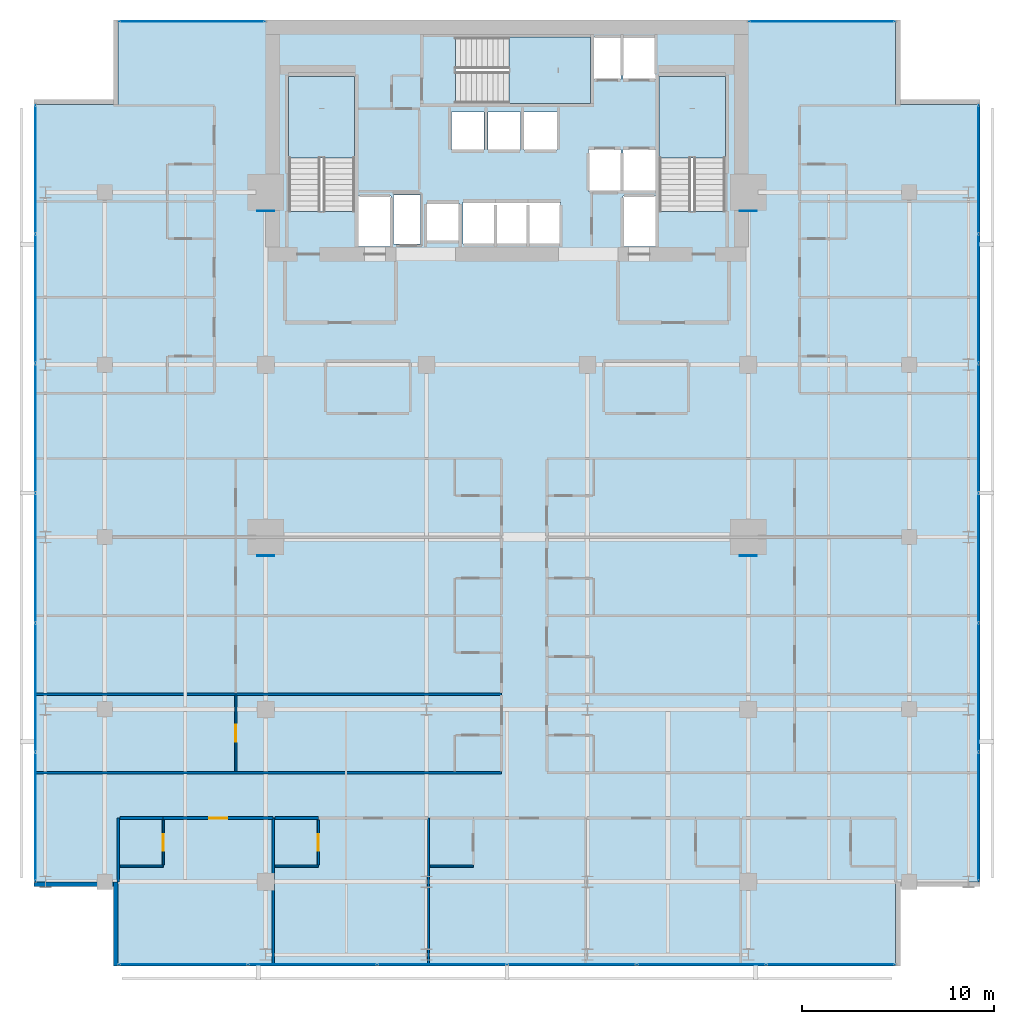
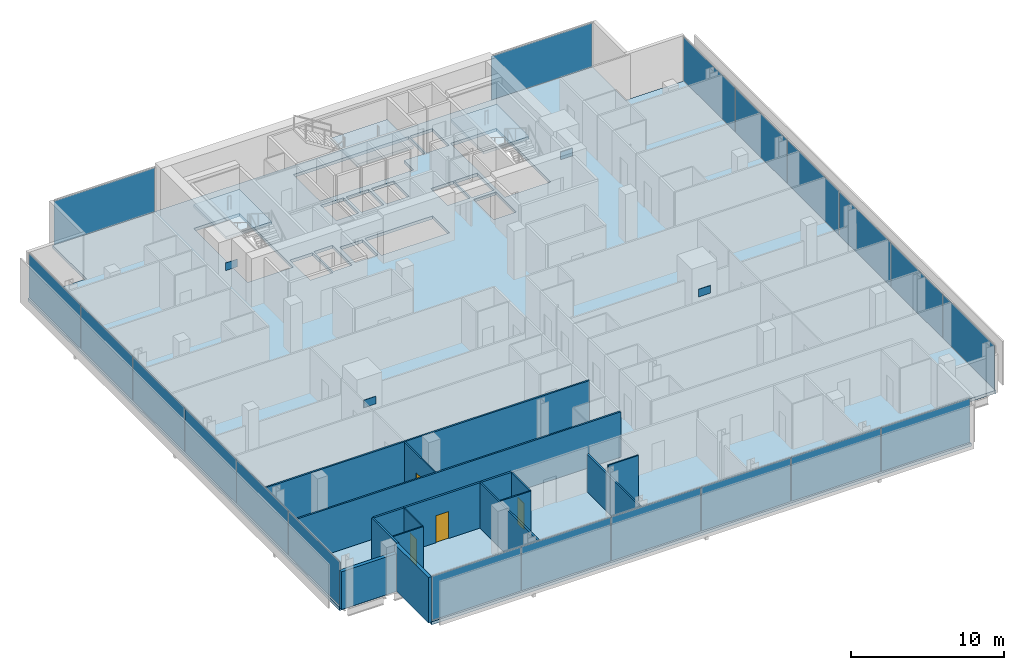
# One storey, part 26 of 34: 24 plates, 16 walls, 4 doors, 4 slabs, 4 openings, 8 elements without a shape of their own.
"""IFC4 building model written with IfcOpenShell, lengths in metres."""

from ifc_helpers import new_model, si_unit, direction, frame, frame_2d, origin, origin_2d, place, context, subcontext, project, spatial, polyline, rectangle, outline, extrude, material, layer, layer_set, type_object, element, fill, aggregate, save


model = new_model("IFC4")

# Units and contexts
model_context = context("Model", 3, precision=1e-05, world=origin(), true_north=direction((0.0, 1.0)))
body_context = subcontext(model_context, "Body", "Model", "MODEL_VIEW")
ifc_project = project(units=[si_unit("LENGTHUNIT", "METRE"), si_unit("AREAUNIT", "SQUARE_METRE"), si_unit("VOLUMEUNIT", "CUBIC_METRE"), si_unit("PLANEANGLEUNIT", "RADIAN"), si_unit("MASSUNIT", "GRAM", prefix="KILO")], contexts=[model_context])

# Site, building, storey
site_placement = place(None, origin())
site = spatial("IfcSite", under=ifc_project, at=site_placement, CompositionType="ELEMENT")
building_placement = place(site_placement, origin())
building = spatial("IfcBuilding", under=site, at=building_placement, Name="Maruvema Waterfront Hotel and Observation Tower", CompositionType="ELEMENT")
storey_placement = place(building_placement, frame((0.0, 0.0, 177.449951171875)))
storey = spatial("IfcBuildingStorey", under=building, at=storey_placement, Name="L43", CompositionType="ELEMENT", Elevation=177.449951171875)

# Slab
ifc_material_1 = material(Name="Concrete C50/60", Category="concrete")
ifc_layer_1 = layer(ifc_material_1, 0.239990234375, Name="Reinforced Concrete Floor Slab 240 mm")
ifc_layer_set_1 = layer_set([ifc_layer_1], Name="Concrete C50/60")
slab_type_1 = type_object("IfcSlabType", Name="Reinforced Concrete Floor Slab 240 mm", PredefinedType="FLOOR", material=ifc_layer_set_1)
slab_1_placement = place(storey_placement, frame((0.0, 0.0, -0.239990234375)))
element("IfcSlab", 1, at=slab_1_placement, inside=storey, type_object=slab_type_1, Name="L43 Structural Floor Slab", PredefinedType="FLOOR", context=body_context, shape_type="SweptSolid", body=[
    extrude(outline(polyline([(17.5, 4.60009765625), (58.10009765625, 4.60009765625), (58.10009765625, 9.0), (62.5, 9.0), (62.5, 49.60009765625), (58.10009765625, 49.60009765625), (58.10009765625, 54.0), (17.5, 54.0), (17.5, 49.60009765625), (13.10009765625, 49.60009765625), (13.10009765625, 9.0), (17.5, 9.0), (17.5, 4.60009765625)]), holes=[polyline([(26.39990234375, 44.00048828125), (26.39990234375, 51.050048828125), (29.85009765625, 51.050048828125), (29.85009765625, 44.00048828125), (26.39990234375, 44.00048828125)]), polyline([(30.050048828125, 44.800048828125), (31.75, 44.800048828125), (31.75, 42.169921875), (30.050048828125, 42.169921875), (30.050048828125, 44.800048828125)]), polyline([(31.8798828125, 44.860107421875), (33.280029296875, 44.860107421875), (33.280029296875, 42.2900390625), (31.8798828125, 42.2900390625), (31.8798828125, 44.860107421875)]), polyline([(33.60009765625, 44.449951171875), (35.300048828125, 44.449951171875), (35.300048828125, 42.449951171875), (33.60009765625, 42.449951171875), (33.60009765625, 44.449951171875)]), polyline([(34.89990234375, 49.199951171875), (36.60009765625, 49.199951171875), (36.60009765625, 47.199951171875), (34.89990234375, 47.199951171875), (34.89990234375, 49.199951171875)]), polyline([(36.800048828125, 49.199951171875), (38.5, 49.199951171875), (38.5, 47.199951171875), (36.800048828125, 47.199951171875), (36.800048828125, 49.199951171875)]), polyline([(35.5, 42.300048828125), (35.5, 44.5), (40.60009765625, 44.5), (40.60009765625, 42.300048828125), (35.5, 42.300048828125)]), polyline([(35.1005859375, 53.10009765625), (43.75, 53.10009765625), (43.75, 50.89990234375), (42.14990234375, 50.89990234375), (42.14990234375, 49.64990234375), (35.1005859375, 49.64990234375), (35.1005859375, 53.10009765625)]), polyline([(38.699951171875, 49.199951171875), (40.39990234375, 49.199951171875), (40.39990234375, 47.199951171875), (38.699951171875, 47.199951171875), (38.699951171875, 49.199951171875)]), polyline([(42.050048828125, 47.25), (43.75, 47.25), (43.75, 45.050048828125), (42.050048828125, 45.050048828125), (42.050048828125, 47.25)]), polyline([(43.85009765625, 44.800048828125), (45.550048828125, 44.800048828125), (45.550048828125, 42.169921875), (43.85009765625, 42.169921875), (43.85009765625, 44.800048828125)]), polyline([(43.85009765625, 47.25), (45.550048828125, 47.25), (45.550048828125, 45.050048828125), (43.85009765625, 45.050048828125), (43.85009765625, 47.25)]), polyline([(45.550048828125, 53.10009765625), (45.550048828125, 50.89990234375), (43.85009765625, 50.89990234375), (43.85009765625, 53.10009765625), (45.550048828125, 53.10009765625)]), polyline([(45.75, 44.00048828125), (45.75, 51.050048828125), (49.199951171875, 51.050048828125), (49.199951171875, 44.00048828125), (45.75, 44.00048828125)])]), origin(), (0.0, 0.0, 1.0), 0.239990234375),
])

# Curtain wall, plates
ifc_material_2 = material(Name="Anodised bronze aluminium and solar-control low-E IGU", Category="aluminium")
ifc_layer_2 = layer(ifc_material_2, 0.159912109375, Name="Zone 2 Amber Inner Thermal Curtain Wall System CW-03")
ifc_layer_set_2 = layer_set([ifc_layer_2], Name="Anodised bronze aluminium and solar-control low-E IGU")
curtain_wall_type = type_object("IfcCurtainWallType", Name="Zone 2 Amber Inner Thermal Curtain Wall System CW-03", PredefinedType="USERDEFINED", material=ifc_layer_set_2)
curtain_wall_1_placement = place(storey_placement, origin())
curtain_wall_1 = element("IfcCurtainWall", 2, at=curtain_wall_1_placement, inside=storey, type_object=curtain_wall_type, Name="L43 Curtain Wall CW-L43-S", ObjectType="UNITISED CURTAIN WALL", PredefinedType="USERDEFINED")
ifc_material_3 = material(Name="Laminated low-E solar-control double glazing", Category="glass")
ifc_layer_3 = layer(ifc_material_3, 0.035888671875, Name="Solar Control Double-Glazed Curtain Panel 36 mm")
ifc_layer_set_3 = layer_set([ifc_layer_3], Name="Laminated low-E solar-control double glazing")
plate_type_1 = type_object("IfcPlateType", Name="Solar Control Double-Glazed Curtain Panel 36 mm", PredefinedType="CURTAIN_PANEL", material=ifc_layer_set_3)
plate_1_placement = place(storey_placement, frame((20.8984375, 4.679931640625, 0.06005859375), z_axis=(0.0, 0.0, 1.0), x_axis=(1.0, 0.0, 0.0)))
plate_1 = element("IfcPlate", 3, at=plate_1_placement, type_object=plate_type_1, Name="CW-03 panel 1.1", PredefinedType="CURTAIN_PANEL", context=body_context, shape_type="SweptSolid", body=[
    extrude(rectangle(XDim=6.6767578125, YDim=0.028076171875, at=origin_2d()), origin(), (0.0, 0.0, 1.0), 3.489990234375),
])
plate_2_placement = place(storey_placement, frame((27.64990234375, 4.679931640625, 0.06005859375), z_axis=(0.0, 0.0, 1.0), x_axis=(1.0, 0.0, 0.0)))
plate_2 = element("IfcPlate", 4, at=plate_2_placement, type_object=plate_type_1, Name="CW-03 panel 2.1", PredefinedType="CURTAIN_PANEL", context=body_context, shape_type="SweptSolid", body=[
    extrude(rectangle(XDim=6.706787109375, YDim=0.028076171875, at=origin_2d()), origin(), (0.0, 0.0, 1.0), 3.489990234375),
])
plate_3_placement = place(storey_placement, frame((34.416748046875, 4.679931640625, 0.06005859375), z_axis=(0.0, 0.0, 1.0), x_axis=(1.0, 0.0, 0.0)))
plate_3 = element("IfcPlate", 5, at=plate_3_placement, type_object=plate_type_1, Name="CW-03 panel 3.1", PredefinedType="CURTAIN_PANEL", context=body_context, shape_type="SweptSolid", body=[
    extrude(rectangle(XDim=6.706787109375, YDim=0.028076171875, at=origin_2d()), origin(), (0.0, 0.0, 1.0), 3.489990234375),
])
plate_4_placement = place(storey_placement, frame((41.183349609375, 4.679931640625, 0.06005859375), z_axis=(0.0, 0.0, 1.0), x_axis=(1.0, 0.0, 0.0)))
plate_4 = element("IfcPlate", 6, at=plate_4_placement, type_object=plate_type_1, Name="CW-03 panel 4.1", PredefinedType="CURTAIN_PANEL", context=body_context, shape_type="SweptSolid", body=[
    extrude(rectangle(XDim=6.706787109375, YDim=0.028076171875, at=origin_2d()), origin(), (0.0, 0.0, 1.0), 3.489990234375),
])
plate_5_placement = place(storey_placement, frame((47.949951171875, 4.679931640625, 0.06005859375), z_axis=(0.0, 0.0, 1.0), x_axis=(1.0, 0.0, 0.0)))
plate_5 = element("IfcPlate", 7, at=plate_5_placement, type_object=plate_type_1, Name="CW-03 panel 5.1", PredefinedType="CURTAIN_PANEL", context=body_context, shape_type="SweptSolid", body=[
    extrude(rectangle(XDim=6.706787109375, YDim=0.028076171875, at=origin_2d()), origin(), (0.0, 0.0, 1.0), 3.489990234375),
])
plate_6_placement = place(storey_placement, frame((54.70166015625, 4.679931640625, 0.06005859375), z_axis=(0.0, 0.0, 1.0), x_axis=(1.0, 0.0, 0.0)))
plate_6 = element("IfcPlate", 8, at=plate_6_placement, type_object=plate_type_1, Name="CW-03 panel 6.1", PredefinedType="CURTAIN_PANEL", context=body_context, shape_type="SweptSolid", body=[
    extrude(rectangle(XDim=6.6767578125, YDim=0.028076171875, at=origin_2d()), origin(), (0.0, 0.0, 1.0), 3.489990234375),
])
aggregate(curtain_wall_1, [plate_1, plate_2, plate_3, plate_4, plate_5, plate_6])

curtain_wall_2_placement = place(storey_placement, origin())
curtain_wall_2 = element("IfcCurtainWall", 9, at=curtain_wall_2_placement, inside=storey, type_object=curtain_wall_type, Name="L43 Curtain Wall CW-L43-E", ObjectType="UNITISED CURTAIN WALL", PredefinedType="USERDEFINED")
plate_7_placement = place(storey_placement, frame((62.419921875, 12.3984375, 0.06005859375), z_axis=(0.0, 0.0, 1.0), x_axis=(0.0, 1.0, 0.0)))
plate_7 = element("IfcPlate", 10, at=plate_7_placement, type_object=plate_type_1, Name="CW-03 panel 1.1", PredefinedType="CURTAIN_PANEL", context=body_context, shape_type="SweptSolid", body=[
    extrude(rectangle(XDim=6.6767578125, YDim=0.028076171875, at=origin_2d()), origin(), (0.0, 0.0, 1.0), 3.489990234375),
])
plate_8_placement = place(storey_placement, frame((62.419921875, 19.14990234375, 0.06005859375), z_axis=(0.0, 0.0, 1.0), x_axis=(0.0, 1.0, 0.0)))
plate_8 = element("IfcPlate", 11, at=plate_8_placement, type_object=plate_type_1, Name="CW-03 panel 2.1", PredefinedType="CURTAIN_PANEL", context=body_context, shape_type="SweptSolid", body=[
    extrude(rectangle(XDim=6.706787109375, YDim=0.028076171875, at=origin_2d()), origin(), (0.0, 0.0, 1.0), 3.489990234375),
])
plate_9_placement = place(storey_placement, frame((62.419921875, 25.916748046875, 0.06005859375), z_axis=(0.0, 0.0, 1.0), x_axis=(0.0, 1.0, 0.0)))
plate_9 = element("IfcPlate", 12, at=plate_9_placement, type_object=plate_type_1, Name="CW-03 panel 3.1", PredefinedType="CURTAIN_PANEL", context=body_context, shape_type="SweptSolid", body=[
    extrude(rectangle(XDim=6.706787109375, YDim=0.028076171875, at=origin_2d()), origin(), (0.0, 0.0, 1.0), 3.489990234375),
])
plate_10_placement = place(storey_placement, frame((62.419921875, 32.683349609375, 0.06005859375), z_axis=(0.0, 0.0, 1.0), x_axis=(0.0, 1.0, 0.0)))
plate_10 = element("IfcPlate", 13, at=plate_10_placement, type_object=plate_type_1, Name="CW-03 panel 4.1", PredefinedType="CURTAIN_PANEL", context=body_context, shape_type="SweptSolid", body=[
    extrude(rectangle(XDim=6.706787109375, YDim=0.028076171875, at=origin_2d()), origin(), (0.0, 0.0, 1.0), 3.489990234375),
])
plate_11_placement = place(storey_placement, frame((62.419921875, 39.449951171875, 0.06005859375), z_axis=(0.0, 0.0, 1.0), x_axis=(0.0, 1.0, 0.0)))
plate_11 = element("IfcPlate", 14, at=plate_11_placement, type_object=plate_type_1, Name="CW-03 panel 5.1", PredefinedType="CURTAIN_PANEL", context=body_context, shape_type="SweptSolid", body=[
    extrude(rectangle(XDim=6.706787109375, YDim=0.028076171875, at=origin_2d()), origin(), (0.0, 0.0, 1.0), 3.489990234375),
])
plate_12_placement = place(storey_placement, frame((62.419921875, 46.20166015625, 0.06005859375), z_axis=(0.0, 0.0, 1.0), x_axis=(0.0, 1.0, 0.0)))
plate_12 = element("IfcPlate", 15, at=plate_12_placement, type_object=plate_type_1, Name="CW-03 panel 6.1", PredefinedType="CURTAIN_PANEL", context=body_context, shape_type="SweptSolid", body=[
    extrude(rectangle(XDim=6.6767578125, YDim=0.028076171875, at=origin_2d()), origin(), (0.0, 0.0, 1.0), 3.489990234375),
])
aggregate(curtain_wall_2, [plate_7, plate_8, plate_9, plate_10, plate_11, plate_12])

curtain_wall_3_placement = place(storey_placement, origin())
curtain_wall_3 = element("IfcCurtainWall", 16, at=curtain_wall_3_placement, inside=storey, type_object=curtain_wall_type, Name="L43 Curtain Wall CW-L43-W", ObjectType="UNITISED CURTAIN WALL", PredefinedType="USERDEFINED")
plate_13_placement = place(storey_placement, frame((13.179931640625, 46.20166015625, 0.06005859375), z_axis=(0.0, 0.0, 1.0), x_axis=(0.0, -1.0, 0.0)))
plate_13 = element("IfcPlate", 17, at=plate_13_placement, type_object=plate_type_1, Name="CW-03 panel 1.1", PredefinedType="CURTAIN_PANEL", context=body_context, shape_type="SweptSolid", body=[
    extrude(rectangle(XDim=6.6767578125, YDim=0.028076171875, at=origin_2d()), origin(), (0.0, 0.0, 1.0), 3.489990234375),
])
plate_14_placement = place(storey_placement, frame((13.179931640625, 39.449951171875, 0.06005859375), z_axis=(0.0, 0.0, 1.0), x_axis=(0.0, -1.0, 0.0)))
plate_14 = element("IfcPlate", 18, at=plate_14_placement, type_object=plate_type_1, Name="CW-03 panel 2.1", PredefinedType="CURTAIN_PANEL", context=body_context, shape_type="SweptSolid", body=[
    extrude(rectangle(XDim=6.706787109375, YDim=0.028076171875, at=origin_2d()), origin(), (0.0, 0.0, 1.0), 3.489990234375),
])
plate_15_placement = place(storey_placement, frame((13.179931640625, 32.683349609375, 0.06005859375), z_axis=(0.0, 0.0, 1.0), x_axis=(0.0, -1.0, 0.0)))
plate_15 = element("IfcPlate", 19, at=plate_15_placement, type_object=plate_type_1, Name="CW-03 panel 3.1", PredefinedType="CURTAIN_PANEL", context=body_context, shape_type="SweptSolid", body=[
    extrude(rectangle(XDim=6.706787109375, YDim=0.028076171875, at=origin_2d()), origin(), (0.0, 0.0, 1.0), 3.489990234375),
])
plate_16_placement = place(storey_placement, frame((13.179931640625, 25.916748046875, 0.06005859375), z_axis=(0.0, 0.0, 1.0), x_axis=(0.0, -1.0, 0.0)))
plate_16 = element("IfcPlate", 20, at=plate_16_placement, type_object=plate_type_1, Name="CW-03 panel 4.1", PredefinedType="CURTAIN_PANEL", context=body_context, shape_type="SweptSolid", body=[
    extrude(rectangle(XDim=6.706787109375, YDim=0.028076171875, at=origin_2d()), origin(), (0.0, 0.0, 1.0), 3.489990234375),
])
plate_17_placement = place(storey_placement, frame((13.179931640625, 19.14990234375, 0.06005859375), z_axis=(0.0, 0.0, 1.0), x_axis=(0.0, -1.0, 0.0)))
plate_17 = element("IfcPlate", 21, at=plate_17_placement, type_object=plate_type_1, Name="CW-03 panel 5.1", PredefinedType="CURTAIN_PANEL", context=body_context, shape_type="SweptSolid", body=[
    extrude(rectangle(XDim=6.706787109375, YDim=0.028076171875, at=origin_2d()), origin(), (0.0, 0.0, 1.0), 3.489990234375),
])
plate_18_placement = place(storey_placement, frame((13.179931640625, 12.3984375, 0.06005859375), z_axis=(0.0, 0.0, 1.0), x_axis=(0.0, -1.0, 0.0)))
plate_18 = element("IfcPlate", 22, at=plate_18_placement, type_object=plate_type_1, Name="CW-03 panel 6.1", PredefinedType="CURTAIN_PANEL", context=body_context, shape_type="SweptSolid", body=[
    extrude(rectangle(XDim=6.6767578125, YDim=0.028076171875, at=origin_2d()), origin(), (0.0, 0.0, 1.0), 3.489990234375),
])
aggregate(curtain_wall_3, [plate_13, plate_14, plate_15, plate_16, plate_17, plate_18])

# Curtain wall, plate
curtain_wall_4_placement = place(storey_placement, origin())
curtain_wall_4 = element("IfcCurtainWall", 23, at=curtain_wall_4_placement, inside=storey, type_object=curtain_wall_type, Name="L43 Curtain Wall CW-L43-NW", ObjectType="UNITISED CURTAIN WALL", PredefinedType="USERDEFINED")
plate_19_placement = place(storey_placement, frame((21.35009765625, 53.919921875, 0.06005859375), z_axis=(0.0, 0.0, 1.0), x_axis=(-1.0, 0.0, 0.0)))
plate_19 = element("IfcPlate", 24, at=plate_19_placement, type_object=plate_type_1, Name="CW-03 panel 1.1", PredefinedType="CURTAIN_PANEL", context=body_context, shape_type="SweptSolid", body=[
    extrude(rectangle(XDim=7.580078125, YDim=0.028076171875, at=origin_2d()), origin(), (0.0, 0.0, 1.0), 3.489990234375),
])
aggregate(curtain_wall_4, [plate_19])

curtain_wall_5_placement = place(storey_placement, origin())
curtain_wall_5 = element("IfcCurtainWall", 25, at=curtain_wall_5_placement, inside=storey, type_object=curtain_wall_type, Name="L43 Curtain Wall CW-L43-NE", ObjectType="UNITISED CURTAIN WALL", PredefinedType="USERDEFINED")
plate_20_placement = place(storey_placement, frame((54.25, 53.919921875, 0.06005859375), z_axis=(0.0, 0.0, 1.0), x_axis=(-1.0, 0.0, 0.0)))
plate_20 = element("IfcPlate", 26, at=plate_20_placement, type_object=plate_type_1, Name="CW-03 panel 1.1", PredefinedType="CURTAIN_PANEL", context=body_context, shape_type="SweptSolid", body=[
    extrude(rectangle(XDim=7.580078125, YDim=0.028076171875, at=origin_2d()), origin(), (0.0, 0.0, 1.0), 3.489990234375),
])
aggregate(curtain_wall_5, [plate_20])

# Stair, slab
ifc_material_4 = material(Name="Concrete C50/60", Category="concrete")
stair_type = type_object("IfcStairType", Name="Dogleg Exit Stair 1650 mm (22R x 175.0 mm)", PredefinedType="HALF_TURN_STAIR", material=ifc_material_4)
stair_1_placement = place(storey_placement, origin())
stair_1 = element("IfcStair", 27, at=stair_1_placement, inside=storey, type_object=stair_type, Name="L43 ST-01", PredefinedType="HALF_TURN_STAIR")
ifc_material_5 = material(Name="Concrete C50/60", Category="concrete")
ifc_layer_4 = layer(ifc_material_5, 0.219970703125, Name="Stair Concrete Landing Slab 220 mm")
ifc_layer_set_4 = layer_set([ifc_layer_4], Name="Concrete C50/60")
slab_type_2 = type_object("IfcSlabType", Name="Stair Concrete Landing Slab 220 mm", PredefinedType="LANDING", material=ifc_layer_set_4)
slab_2_placement = place(storey_placement, frame((0.0, 0.0, 1.705078125)))
slab_2 = element("IfcSlab", 28, at=slab_2_placement, type_object=slab_type_2, Name="ST-01 landing 1", PredefinedType="LANDING", context=body_context, shape_type="SweptSolid", body=[
    extrude(outline(polyline([(29.85009765625, 46.800048828125), (29.85009765625, 51.050048828125), (26.39990234375, 51.050048828125), (26.39990234375, 46.800048828125), (29.85009765625, 46.800048828125)])), origin(), (0.0, 0.0, 1.0), 0.219970703125),
])
aggregate(stair_1, [slab_2])

stair_2_placement = place(storey_placement, origin())
stair_2 = element("IfcStair", 29, at=stair_2_placement, inside=storey, type_object=stair_type, Name="L43 ST-02", PredefinedType="HALF_TURN_STAIR")
slab_3_placement = place(storey_placement, frame((0.0, 0.0, 1.705078125)))
slab_3 = element("IfcSlab", 30, at=slab_3_placement, type_object=slab_type_2, Name="ST-02 landing 1", PredefinedType="LANDING", context=body_context, shape_type="SweptSolid", body=[
    extrude(outline(polyline([(37.89990234375, 49.64990234375), (42.14990234375, 49.64990234375), (42.14990234375, 53.10009765625), (37.89990234375, 53.10009765625), (37.89990234375, 49.64990234375)])), origin(), (0.0, 0.0, 1.0), 0.219970703125),
])
aggregate(stair_2, [slab_3])

stair_3_placement = place(storey_placement, origin())
stair_3 = element("IfcStair", 31, at=stair_3_placement, inside=storey, type_object=stair_type, Name="L43 ST-03", PredefinedType="HALF_TURN_STAIR")
slab_4_placement = place(storey_placement, frame((0.0, 0.0, 1.705078125)))
slab_4 = element("IfcSlab", 32, at=slab_4_placement, type_object=slab_type_2, Name="ST-03 landing 1", PredefinedType="LANDING", context=body_context, shape_type="SweptSolid", body=[
    extrude(outline(polyline([(49.199951171875, 46.800048828125), (49.199951171875, 51.050048828125), (45.75, 51.050048828125), (45.75, 46.800048828125), (49.199951171875, 46.800048828125)])), origin(), (0.0, 0.0, 1.0), 0.219970703125),
])
aggregate(stair_3, [slab_4])

# Plates
ifc_material_6 = material(Name="Steel ABNT NBR 7007 AR 415 (ASTM A572 Grade 50)", Category="steel")
ifc_layer_5 = layer(ifc_material_6, 0.0400390625, Name="Structural Truss Node Gusset Plate 40 mm")
ifc_layer_set_5 = layer_set([ifc_layer_5], Name="Steel ABNT NBR 7007 AR 415 (ASTM A572 Grade 50)")
plate_type_2 = type_object("IfcPlateType", Name="Structural Truss Node Gusset Plate 40 mm", PredefinedType="USERDEFINED", material=ifc_layer_set_5)
for number, where, z_axis, x_axis, name in (
    (33, (25.199951171875, 26.030029296875, 1.5), (0.0, 0.0, 1.0), (1.0, 0.0, 0.0), "L43 MC-01 Moment Frame Continuity Gusset Plate"),
    (34, (50.39990234375, 26.030029296875, 1.5), (0.0, 0.0, 1.0), (1.0, 0.0, 0.0), "L43 MC-02 Moment Frame Continuity Gusset Plate"),
    (35, (25.199951171875, 44.030029296875, 1.5), (0.0, 0.0, 1.0), (1.0, 0.0, 0.0), "L43 MC-03 Moment Frame Continuity Gusset Plate"),
    (36, (50.39990234375, 44.030029296875, 1.5), (0.0, 0.0, 1.0), (1.0, 0.0, 0.0), "L43 MC-04 Moment Frame Continuity Gusset Plate"),
):
    element("IfcPlate", number, at=place(storey_placement, frame(where, z_axis=z_axis, x_axis=x_axis)), inside=storey, type_object=plate_type_2, Name=name, ObjectType="GUSSET_PLATE", PredefinedType="USERDEFINED", context=body_context, shape_type="SweptSolid", body=[
        extrude(rectangle(XDim=0.89990234375, YDim=0.0400390625, at=origin_2d()), origin(), (0.0, 0.0, 1.0), 0.60009765625),
    ])

# Wall
ifc_material_7 = material(Name="Twin-stud acoustic gypsum drywall", Category="gypsum")
ifc_layer_6 = layer(ifc_material_7, 0.14990234375, Name="Acoustic Corridor and Suite Demising Wall 150 mm")
ifc_layer_set_6 = layer_set([ifc_layer_6], Name="Twin-stud acoustic gypsum drywall")
wall_type_1 = type_object("IfcWallType", Name="Acoustic Corridor and Suite Demising Wall 150 mm", PredefinedType="PARTITIONING", material=ifc_layer_set_6)
wall_1_placement = place(storey_placement, frame((17.580078125, 12.320068359375, 0.0), z_axis=(0.0, 0.0, 1.0), x_axis=(1.0, 0.0, 0.0)))
element("IfcWall", 37, at=wall_1_placement, inside=storey, type_object=wall_type_1, Name="L43 Bath L43-S1 Back Wall 027", PredefinedType="PARTITIONING", context=body_context, shape_type="SweptSolid", body=[
    extrude(rectangle(XDim=2.27001953125, YDim=0.14990234375, at=frame_2d((1.135009765625, 0.0))), origin(), (0.0, 0.0, 1.0), 3.610107421875),
])

# Wall, opening, door
wall_2_placement = place(storey_placement, frame((19.85009765625, 12.320068359375, 0.0), z_axis=(0.0, 0.0, 1.0), x_axis=(1.0, 0.0, 0.0)))
wall_2 = element("IfcWall", 38, at=wall_2_placement, inside=storey, type_object=wall_type_1, Name="L43 Unit L43-S1 Corridor Wall 030", PredefinedType="PARTITIONING", context=body_context, shape_type="SweptSolid", body=[
    extrude(rectangle(XDim=5.72998046875, YDim=0.14990234375, at=frame_2d((2.864990234375, 0.0))), origin(), (0.0, 0.0, 1.0), 3.610107421875),
])
opening_1_placement = place(wall_2_placement, frame((2.389892578125, 0.0, 0.0)))
opening_1 = element("IfcOpeningElement", 39, at=opening_1_placement, cuts=wall_2, Name="Opening DR-095", PredefinedType="OPENING", context=body_context, shape_type="SweptSolid", body=[
    extrude(rectangle(XDim=0.949951171875, YDim=2.14990234375, at=frame_2d((0.47509765625, 1.074951171875))), frame((0.0, 0.0849609375, 0.0), z_axis=(0.0, -1.0, 0.0), x_axis=(1.0, 0.0, 0.0)), (0.0, 0.0, 1.0), 0.169921875),
])
ifc_material_8 = material(Name="Acoustic solid-core hardwood timber leaf", Category="wood")
door_type_1 = type_object("IfcDoorType", Name="Guestroom Entrance Fire Door 950x2150 mm", OperationType="NOTDEFINED", PredefinedType="DOOR", material=ifc_material_8)
door_1_placement = place(opening_1_placement, frame((0.949951171875, 0.0, 0.0), z_axis=(0.0, 0.0, 1.0), x_axis=(-1.0, 0.0, 0.0)))
door_1 = element("IfcDoor", 40, at=door_1_placement, inside=storey, type_object=door_type_1, Name="L43 Unit L43-S1 Entrance Door", OperationType="SINGLE_SWING_LEFT", OverallHeight=2.14990234375, OverallWidth=0.949951171875, PredefinedType="DOOR", context=body_context, shape_type="SweptSolid", body=[
    extrude(rectangle(XDim=0.949951171875, YDim=2.14990234375, at=frame_2d((0.47509765625, 1.074951171875))), frame((0.0, 0.02490234375, 0.0), z_axis=(0.0, -1.0, 0.0), x_axis=(1.0, 0.0, 0.0)), (0.0, 0.0, 1.0), 0.050048828125),
])
fill(opening_1, door_1)

# Walls
wall_3_placement = place(storey_placement, frame((25.679931640625, 12.320068359375, 0.0), z_axis=(0.0, 0.0, 1.0), x_axis=(1.0, 0.0, 0.0)))
element("IfcWall", 41, at=wall_3_placement, inside=storey, type_object=wall_type_1, Name="L43 Bath L43-S2 Back Wall 032", PredefinedType="PARTITIONING", context=body_context, shape_type="SweptSolid", body=[
    extrude(rectangle(XDim=2.27001953125, YDim=0.14990234375, at=frame_2d((1.135009765625, 0.0))), origin(), (0.0, 0.0, 1.0), 3.610107421875),
])
ifc_material_9 = material(Name="Moisture-resistant cement-board drywall", Category="gypsum")
ifc_layer_7 = layer(ifc_material_9, 0.10009765625, Name="En-Suite Moisture-Resistant Partition 100 mm")
ifc_layer_set_7 = layer_set([ifc_layer_7], Name="Moisture-resistant cement-board drywall")
wall_type_2 = type_object("IfcWallType", Name="En-Suite Moisture-Resistant Partition 100 mm", PredefinedType="PARTITIONING", material=ifc_layer_set_7)
wall_4_placement = place(storey_placement, frame((17.580078125, 9.820068359375, 0.0), z_axis=(0.0, 0.0, 1.0), x_axis=(1.0, 0.0, 0.0)))
element("IfcWall", 42, at=wall_4_placement, inside=storey, type_object=wall_type_2, Name="L43 En-Suite L43-S1 South 028", PredefinedType="PARTITIONING", context=body_context, shape_type="SweptSolid", body=[
    extrude(rectangle(XDim=2.27001953125, YDim=0.10009765625, at=frame_2d((1.135009765625, 0.0))), origin(), (0.0, 0.0, 1.0), 3.610107421875),
])

# Wall, opening, door
wall_5_placement = place(storey_placement, frame((19.85009765625, 9.8798828125, 0.0), z_axis=(0.0, 0.0, 1.0), x_axis=(0.0, 1.0, 0.0)))
wall_5 = element("IfcWall", 43, at=wall_5_placement, inside=storey, type_object=wall_type_2, Name="L43 En-Suite L43-S1 East 029", PredefinedType="PARTITIONING", context=body_context, shape_type="SweptSolid", body=[
    extrude(rectangle(XDim=2.340087890625, YDim=0.10009765625, at=frame_2d((1.169921875, 0.0))), origin(), (0.0, 0.0, 1.0), 3.610107421875),
])
opening_2_placement = place(wall_5_placement, frame((0.7451171875, 0.0, 0.0)))
opening_2 = element("IfcOpeningElement", 44, at=opening_2_placement, cuts=wall_5, Name="Opening DR-085", PredefinedType="OPENING", context=body_context, shape_type="SweptSolid", body=[
    extrude(rectangle(XDim=0.85009765625, YDim=2.10009765625, at=frame_2d((0.425048828125, 1.050048828125))), frame((0.0, 0.06005859375, 0.0), z_axis=(0.0, -1.0, 0.0), x_axis=(1.0, 0.0, 0.0)), (0.0, 0.0, 1.0), 0.1201171875),
])
ifc_material_10 = material(Name="Moisture-resistant solid timber leaf", Category="wood")
door_type_2 = type_object("IfcDoorType", Name="En-Suite Bathroom Door 850x2100 mm", OperationType="NOTDEFINED", PredefinedType="DOOR", material=ifc_material_10)
door_2_placement = place(opening_2_placement, frame((0.85009765625, 0.0, 0.0), z_axis=(0.0, 0.0, 1.0), x_axis=(-1.0, 0.0, 0.0)))
door_2 = element("IfcDoor", 45, at=door_2_placement, inside=storey, type_object=door_type_2, Name="L43 En-Suite L43-S1 Door", OperationType="SINGLE_SWING_RIGHT", OverallHeight=2.10009765625, OverallWidth=0.85009765625, PredefinedType="DOOR", context=body_context, shape_type="SweptSolid", body=[
    extrude(rectangle(XDim=0.85009765625, YDim=2.10009765625, at=frame_2d((0.425048828125, 1.050048828125))), frame((0.0, 0.02490234375, 0.0), z_axis=(0.0, -1.0, 0.0), x_axis=(1.0, 0.0, 0.0)), (0.0, 0.0, 1.0), 0.050048828125),
])
fill(opening_2, door_2)

# Wall
wall_6_placement = place(storey_placement, frame((25.679931640625, 9.820068359375, 0.0), z_axis=(0.0, 0.0, 1.0), x_axis=(1.0, 0.0, 0.0)))
element("IfcWall", 46, at=wall_6_placement, inside=storey, type_object=wall_type_2, Name="L43 En-Suite L43-S2 South 033", PredefinedType="PARTITIONING", context=body_context, shape_type="SweptSolid", body=[
    extrude(rectangle(XDim=2.27001953125, YDim=0.10009765625, at=frame_2d((1.135009765625, 0.0))), origin(), (0.0, 0.0, 1.0), 3.610107421875),
])

# Wall, opening, door
wall_7_placement = place(storey_placement, frame((27.949951171875, 9.8798828125, 0.0), z_axis=(0.0, 0.0, 1.0), x_axis=(0.0, 1.0, 0.0)))
wall_7 = element("IfcWall", 47, at=wall_7_placement, inside=storey, type_object=wall_type_2, Name="L43 En-Suite L43-S2 East 034", PredefinedType="PARTITIONING", context=body_context, shape_type="SweptSolid", body=[
    extrude(rectangle(XDim=2.340087890625, YDim=0.10009765625, at=frame_2d((1.169921875, 0.0))), origin(), (0.0, 0.0, 1.0), 3.610107421875),
])
opening_3_placement = place(wall_7_placement, frame((0.7451171875, 0.0, 0.0)))
opening_3 = element("IfcOpeningElement", 48, at=opening_3_placement, cuts=wall_7, Name="Opening DR-085", PredefinedType="OPENING", context=body_context, shape_type="SweptSolid", body=[
    extrude(rectangle(XDim=0.85009765625, YDim=2.10009765625, at=frame_2d((0.425048828125, 1.050048828125))), frame((0.0, 0.06005859375, 0.0), z_axis=(0.0, -1.0, 0.0), x_axis=(1.0, 0.0, 0.0)), (0.0, 0.0, 1.0), 0.1201171875),
])
door_3_placement = place(opening_3_placement, frame((0.85009765625, 0.0, 0.0), z_axis=(0.0, 0.0, 1.0), x_axis=(-1.0, 0.0, 0.0)))
door_3 = element("IfcDoor", 49, at=door_3_placement, inside=storey, type_object=door_type_2, Name="L43 En-Suite L43-S2 Door", OperationType="SINGLE_SWING_RIGHT", OverallHeight=2.10009765625, OverallWidth=0.85009765625, PredefinedType="DOOR", context=body_context, shape_type="SweptSolid", body=[
    extrude(rectangle(XDim=0.85009765625, YDim=2.10009765625, at=frame_2d((0.425048828125, 1.050048828125))), frame((0.0, 0.02490234375, 0.0), z_axis=(0.0, -1.0, 0.0), x_axis=(1.0, 0.0, 0.0)), (0.0, 0.0, 1.0), 0.050048828125),
])
fill(opening_3, door_3)

# Wall
wall_8_placement = place(storey_placement, frame((33.780029296875, 9.820068359375, 0.0), z_axis=(0.0, 0.0, 1.0), x_axis=(1.0, 0.0, 0.0)))
element("IfcWall", 50, at=wall_8_placement, inside=storey, type_object=wall_type_2, Name="L43 En-Suite L43-S3 South 038", PredefinedType="PARTITIONING", context=body_context, shape_type="SweptSolid", body=[
    extrude(rectangle(XDim=2.27001953125, YDim=0.10009765625, at=frame_2d((1.135009765625, 0.0))), origin(), (0.0, 0.0, 1.0), 3.610107421875),
])

# Wall, opening, door
wall_9_placement = place(storey_placement, frame((23.6455078125, 14.760009765625, 0.0), z_axis=(0.0, 0.0, 1.0), x_axis=(0.0, 1.0, 0.0)))
wall_9 = element("IfcWall", 51, at=wall_9_placement, inside=storey, type_object=wall_type_2, Name="L43 Suite L43-W1 Split 059", PredefinedType="PARTITIONING", context=body_context, shape_type="SweptSolid", body=[
    extrude(rectangle(XDim=3.97998046875, YDim=0.10009765625, at=frame_2d((1.989990234375, 0.0))), origin(), (0.0, 0.0, 1.0), 3.610107421875),
])
opening_4_placement = place(wall_9_placement, frame((1.5400390625, 0.0, 0.0)))
opening_4 = element("IfcOpeningElement", 52, at=opening_4_placement, cuts=wall_9, Name="Opening DR-090", PredefinedType="OPENING", context=body_context, shape_type="SweptSolid", body=[
    extrude(rectangle(XDim=0.89990234375, YDim=2.10009765625, at=frame_2d((0.449951171875, 1.050048828125))), frame((0.0, 0.06005859375, 0.0), z_axis=(0.0, -1.0, 0.0), x_axis=(1.0, 0.0, 0.0)), (0.0, 0.0, 1.0), 0.1201171875),
])
ifc_material_11 = material(Name="Solid-core lacquered timber leaf", Category="wood")
door_type_3 = type_object("IfcDoorType", Name="Accessible Toilet and Room Door 900x2100 mm", OperationType="NOTDEFINED", PredefinedType="DOOR", material=ifc_material_11)
door_4_placement = place(opening_4_placement, origin())
door_4 = element("IfcDoor", 53, at=door_4_placement, inside=storey, type_object=door_type_3, Name="L43 Suite L43-W1 Bedroom Door", OperationType="SINGLE_SWING_RIGHT", OverallHeight=2.10009765625, OverallWidth=0.89990234375, PredefinedType="DOOR", context=body_context, shape_type="SweptSolid", body=[
    extrude(rectangle(XDim=0.89990234375, YDim=2.10009765625, at=frame_2d((0.449951171875, 1.050048828125))), frame((0.0, 0.02490234375, 0.0), z_axis=(0.0, -1.0, 0.0), x_axis=(1.0, 0.0, 0.0)), (0.0, 0.0, 1.0), 0.050048828125),
])
fill(opening_4, door_4)

# Walls
ifc_material_12 = material(Name="Precast concrete C45/55 with honed Pernambuco granite facing", Category="masonry")
ifc_layer_8 = layer(ifc_material_12, 0.260009765625, Name="Exterior Granite Clad Spandrel and Pier Wall 260 mm")
ifc_layer_set_8 = layer_set([ifc_layer_8], Name="Precast concrete C45/55 with honed Pernambuco granite facing")
wall_type_3 = type_object("IfcWallType", Name="Exterior Granite Clad Spandrel and Pier Wall 260 mm", PredefinedType="SOLIDWALL", material=ifc_layer_set_8)
wall_10_placement = place(storey_placement, frame((17.3701171875, 4.60009765625, 0.0), z_axis=(0.0, 0.0, 1.0), x_axis=(0.0, 1.0, 0.0)))
element("IfcWall", 54, at=wall_10_placement, inside=storey, type_object=wall_type_3, Name="L43 Corner Notch Granite Pier Wall SW1", PredefinedType="SOLIDWALL", context=body_context, shape_type="SweptSolid", body=[
    extrude(rectangle(XDim=4.39990234375, YDim=0.260009765625, at=frame_2d((2.199951171875, 0.0))), origin(), (0.0, 0.0, 1.0), 3.610107421875),
])
wall_11_placement = place(storey_placement, frame((17.5, 8.8701171875, 0.0), z_axis=(0.0, 0.0, 1.0), x_axis=(-1.0, 0.0, 0.0)))
element("IfcWall", 55, at=wall_11_placement, inside=storey, type_object=wall_type_3, Name="L43 Corner Notch Granite Pier Wall SW2", PredefinedType="SOLIDWALL", context=body_context, shape_type="SweptSolid", body=[
    extrude(rectangle(XDim=4.39990234375, YDim=0.260009765625, at=frame_2d((2.199951171875, 0.0))), origin(), (0.0, 0.0, 1.0), 3.007080078125),
])
ifc_material_13 = material(Name="Acoustic gypsum plasterboard drywall", Category="gypsum")
ifc_layer_9 = layer(ifc_material_13, 0.125, Name="Guestroom Acoustic Demising Wall 125 mm")
ifc_layer_set_9 = layer_set([ifc_layer_9], Name="Acoustic gypsum plasterboard drywall")
wall_type_4 = type_object("IfcWallType", Name="Guestroom Acoustic Demising Wall 125 mm", PredefinedType="PARTITIONING", material=ifc_layer_set_9)
wall_12_placement = place(storey_placement, frame((17.5, 9.0, 0.0), z_axis=(0.0, 0.0, 1.0), x_axis=(0.0, 1.0, 0.0)))
element("IfcWall", 56, at=wall_12_placement, inside=storey, type_object=wall_type_4, Name="L43 Z2 S West End 025", PredefinedType="PARTITIONING", context=body_context, shape_type="SweptSolid", body=[
    extrude(rectangle(XDim=3.320068359375, YDim=0.125, at=frame_2d((1.66015625, 0.0))), origin(), (0.0, 0.0, 1.0), 3.610107421875),
])
wall_13_placement = place(storey_placement, frame((25.60009765625, 4.699951171875, 0.0), z_axis=(0.0, 0.0, 1.0), x_axis=(0.0, 1.0, 0.0)))
element("IfcWall", 57, at=wall_13_placement, inside=storey, type_object=wall_type_4, Name="L43 Z2 S Demising 2 031", PredefinedType="PARTITIONING", context=body_context, shape_type="SweptSolid", body=[
    extrude(rectangle(XDim=7.6201171875, YDim=0.125, at=frame_2d((3.81005859375, 0.0))), origin(), (0.0, 0.0, 1.0), 3.610107421875),
])
wall_14_placement = place(storey_placement, frame((33.699951171875, 4.699951171875, 0.0), z_axis=(0.0, 0.0, 1.0), x_axis=(0.0, 1.0, 0.0)))
element("IfcWall", 58, at=wall_14_placement, inside=storey, type_object=wall_type_4, Name="L43 Z2 S Demising 3 036", PredefinedType="PARTITIONING", context=body_context, shape_type="SweptSolid", body=[
    extrude(rectangle(XDim=7.6201171875, YDim=0.125, at=frame_2d((3.81005859375, 0.0))), origin(), (0.0, 0.0, 1.0), 3.007080078125),
])
for number, where, z_axis, x_axis, name in (
    (59, (13.199951171875, 14.699951171875, 0.0), (0.0, 0.0, 1.0), (1.0, 0.0, 0.0), "L43 Z2 W Bot End 051"),
    (60, (13.199951171875, 18.800048828125, 0.0), (0.0, 0.0, 1.0), (1.0, 0.0, 0.0), "L43 Z2 W Demising 2 065"),
):
    element("IfcWall", number, at=place(storey_placement, frame(where, z_axis=z_axis, x_axis=x_axis)), inside=storey, type_object=wall_type_4, Name=name, PredefinedType="PARTITIONING", context=body_context, shape_type="SweptSolid", body=[
        extrude(rectangle(XDim=24.320068359375, YDim=0.125, at=frame_2d((12.16015625, 0.0))), origin(), (0.0, 0.0, 1.0), 3.610107421875),
    ])

save(model, "model.ifc")
